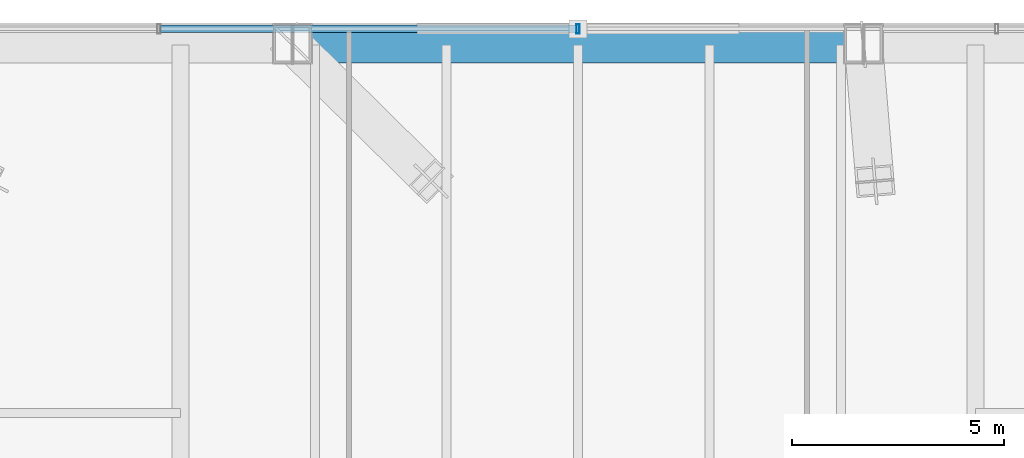
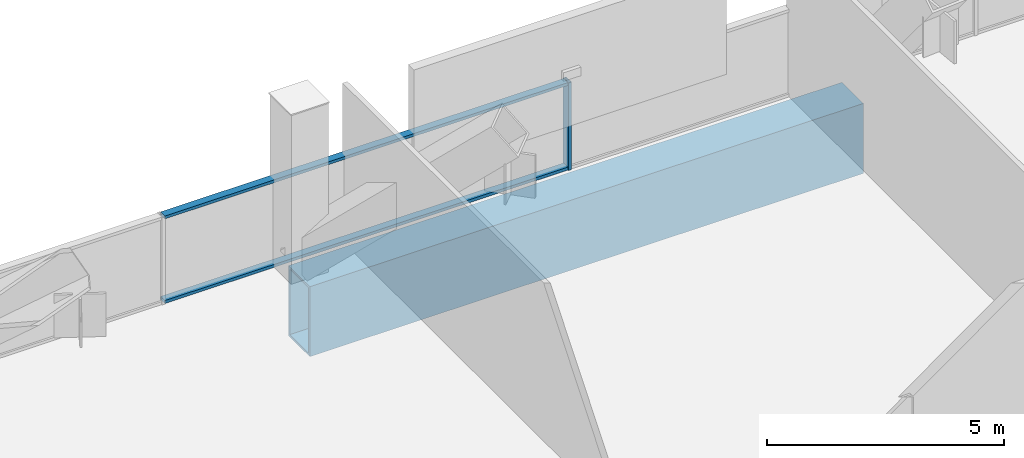
# One storey, part 21 of 38: 3 members, 1 beam, 1 element without a shape of its own.
"""IFC4 building model written with IfcOpenShell, lengths in metres."""

from ifc_helpers import new_model, si_unit, direction, frame, origin, origin_2d, place, context, subcontext, project, spatial, hollow_rectangle, extrude, material, layer, layer_set, material_profile, profile_set, type_object, element, aggregate, save


model = new_model("IFC4")

# Units and contexts
model_context = context("Model", 3, precision=1e-05, world=origin(), true_north=direction((0.0, 1.0)))
body_context = subcontext(model_context, "Body", "Model", "MODEL_VIEW")
ifc_project = project(units=[si_unit("LENGTHUNIT", "METRE"), si_unit("AREAUNIT", "SQUARE_METRE"), si_unit("VOLUMEUNIT", "CUBIC_METRE"), si_unit("PLANEANGLEUNIT", "RADIAN"), si_unit("MASSUNIT", "GRAM", prefix="KILO")], contexts=[model_context])

# Site, building, storey
site_placement = place(None, origin())
site = spatial("IfcSite", under=ifc_project, at=site_placement, CompositionType="ELEMENT")
building_placement = place(site_placement, origin())
building = spatial("IfcBuilding", under=site, at=building_placement, Name="Qhalaya Broadcast Tower", CompositionType="ELEMENT")
storey_placement = place(building_placement, frame((0.0, 0.0, 53.550048828125)))
storey = spatial("IfcBuildingStorey", under=building, at=storey_placement, Name="L15", CompositionType="ELEMENT", Elevation=53.550048828125)

# Beam
ifc_material_1 = material(Name="Structural Steel ASTM A572 Grade 50", Category="steel")
ifc_material_profile_1 = material_profile(ifc_material_1, hollow_rectangle(XDim=0.89990234375, YDim=1.800048828125, WallThickness=0.06005859375, at=origin_2d()), Name="BOX 900x1800x60")
ifc_profile_set_1 = profile_set([ifc_material_profile_1], Name="Structural Steel ASTM A572 Grade 50")
beam_type = type_object("IfcBeamType", Name="Block Cantilever Transfer Box Girder TG1", PredefinedType="USERDEFINED", material=ifc_profile_set_1)
beam_placement = place(storey_placement, frame((6.7333984375, 25.89990234375, -1.1201171875), z_axis=(-1.0, 0.0, 0.0), x_axis=(0.0, -1.0, 0.0)))
element("IfcBeam", 1, at=beam_placement, inside=storey, type_object=beam_type, Name="L15 TG1 L15-SPR-10", ObjectType="GIRDER", PredefinedType="USERDEFINED", context=body_context, shape_type="SweptSolid", body=[
    extrude(hollow_rectangle(XDim=0.89990234375, YDim=1.800048828125, WallThickness=0.06005859375, at=origin_2d()), origin(), (0.0, 0.0, 1.0), 13.466796875),
])

# Curtain wall, members
ifc_material_2 = material(Name="Fired Architectural Terracotta", Category="masonry")
ifc_layer = layer(ifc_material_2, 0.219970703125, Name="Fired Architectural Terracotta")
ifc_layer_set = layer_set([ifc_layer], Name="Fired Architectural Terracotta")
curtain_wall_type = type_object("IfcCurtainWallType", Name="Block-Cap Unitised Terracotta Spandrel Wall CW-07", PredefinedType="NOTDEFINED", material=ifc_layer_set)
curtain_wall_placement = place(storey_placement, origin())
curtain_wall = element("IfcCurtainWall", 2, at=curtain_wall_placement, inside=storey, type_object=curtain_wall_type, Name="L15 Unitised Curtain Wall L15-CW-N", PredefinedType="NOTDEFINED")
ifc_material_3 = material(Name="Anodised Aluminium 6063-T6", Category="aluminium")
ifc_material_profile_2 = material_profile(ifc_material_3, hollow_rectangle(XDim=0.074951171875, YDim=0.219970703125, WallThickness=0.00390625, at=origin_2d()), Name="ALU-MUL 75x220x4")
ifc_profile_set_2 = profile_set([ifc_material_profile_2], Name="Anodised Aluminium 6063-T6")
member_type_1 = type_object("IfcMemberType", Name="Unitised Curtain-Wall Mullion M01", PredefinedType="MULLION", material=ifc_profile_set_2)
member_1_placement = place(storey_placement, frame((0.0, 26.260009765625, 0.0), z_axis=(0.0, 0.0, 1.0), x_axis=(1.0, 0.0, 0.0)))
member_1 = element("IfcMember", 3, at=member_1_placement, type_object=member_type_1, Name="CW-07 mullion 3", PredefinedType="MULLION", context=body_context, shape_type="SweptSolid", body=[
    extrude(hollow_rectangle(XDim=0.074951171875, YDim=0.219970703125, WallThickness=0.00390625, at=origin_2d()), origin(), (0.0, 0.0, 1.0), 2.25),
])
ifc_material_profile_3 = material_profile(ifc_material_3, hollow_rectangle(XDim=0.074951171875, YDim=0.179931640625, WallThickness=0.00390625, at=origin_2d()), Name="ALU-TRN 75x180x4")
ifc_profile_set_3 = profile_set([ifc_material_profile_3], Name="Anodised Aluminium 6063-T6")
member_type_2 = type_object("IfcMemberType", Name="Unitised Curtain-Wall Transom T01", PredefinedType="USERDEFINED", material=ifc_profile_set_3)
member_2_placement = place(storey_placement, frame((-9.843505859375, 26.260009765625, 0.037353515625), z_axis=(1.0, 0.0, 0.0), x_axis=(0.0, 0.0, 1.0)))
member_2 = element("IfcMember", 4, at=member_2_placement, type_object=member_type_2, Name="CW-07 transom 2.1", ObjectType="TRANSOM", PredefinedType="USERDEFINED", context=body_context, shape_type="SweptSolid", body=[
    extrude(hollow_rectangle(XDim=0.074951171875, YDim=0.179931640625, WallThickness=0.00390625, at=origin_2d()), origin(), (0.0, 0.0, 1.0), 9.805908203125),
])
member_3_placement = place(storey_placement, frame((-9.843505859375, 26.260009765625, 2.21240234375), z_axis=(1.0, 0.0, 0.0), x_axis=(0.0, 0.0, 1.0)))
member_3 = element("IfcMember", 5, at=member_3_placement, type_object=member_type_2, Name="CW-07 transom 2.2", ObjectType="TRANSOM", PredefinedType="USERDEFINED", context=body_context, shape_type="SweptSolid", body=[
    extrude(hollow_rectangle(XDim=0.074951171875, YDim=0.179931640625, WallThickness=0.00390625, at=origin_2d()), origin(), (0.0, 0.0, 1.0), 9.805908203125),
])
aggregate(curtain_wall, [member_1, member_2, member_3])

save(model, "model.ifc")
